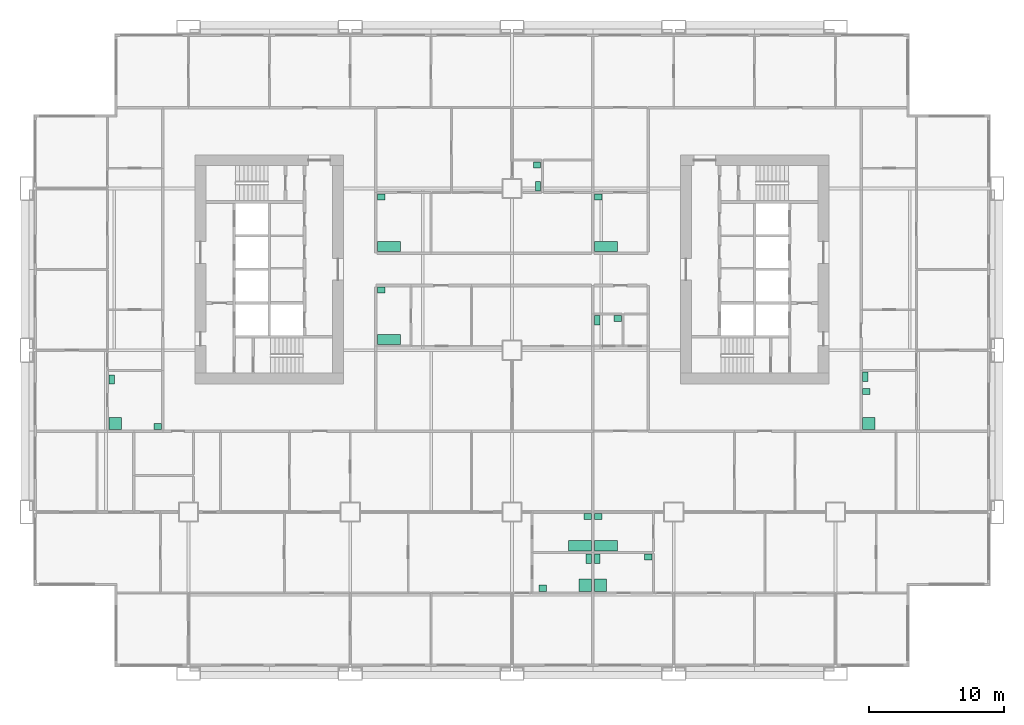
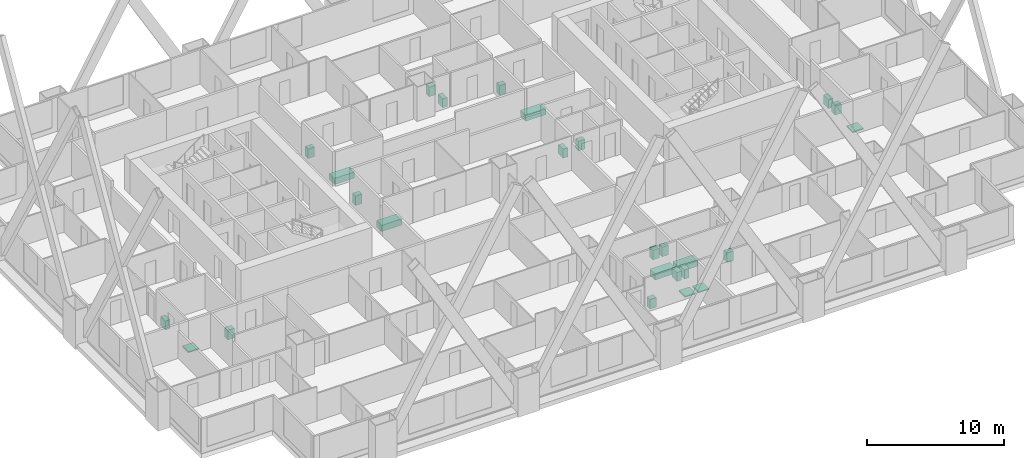
# One storey, part 13 of 13: 26 sanitary terminals.
"""IFC4 building model written with IfcOpenShell, lengths in metres."""

from ifc_helpers import new_model, si_unit, direction, frame, origin, origin_2d, place, context, subcontext, project, spatial, rectangle, extrude, material, type_object, element, save


model = new_model("IFC4")

# Units and contexts
model_context = context("Model", 3, precision=1e-05, world=origin(), true_north=direction((0.0, 1.0)))
body_context = subcontext(model_context, "Body", "Model", "MODEL_VIEW")
ifc_project = project(units=[si_unit("LENGTHUNIT", "METRE"), si_unit("AREAUNIT", "SQUARE_METRE"), si_unit("VOLUMEUNIT", "CUBIC_METRE"), si_unit("PLANEANGLEUNIT", "RADIAN"), si_unit("MASSUNIT", "GRAM", prefix="KILO")], contexts=[model_context])

# Site, building, storey
site_placement = place(None, origin())
site = spatial("IfcSite", under=ifc_project, at=site_placement, CompositionType="ELEMENT")
building_placement = place(site_placement, origin())
building = spatial("IfcBuilding", under=site, at=building_placement, Name="Kitamizu Gate Tower and Museum", CompositionType="ELEMENT")
storey_placement = place(building_placement, frame((0.0, 0.0, 50.699951171875)))
storey = spatial("IfcBuildingStorey", under=building, at=storey_placement, Name="L11", CompositionType="ELEMENT", Elevation=50.699951171875)

# Sanitary terminals
ifc_material_1 = material(Name="Acrylic")
sanitary_terminal_type_1 = type_object("IfcSanitaryTerminalType", Name="Bath", PredefinedType="BATH", material=ifc_material_1)
for number, where, z_axis, x_axis, name in (
    (1, (41.030029296875, 9.4951171875, 0.0009765625), (0.0, 0.0, 1.0), (1.0, 0.0, 0.0), "Bath Bathroom 11A"),
    (2, (26.8701171875, 24.794921875, 0.0009765625), (0.0, 0.0, 1.0), (1.0, 0.0, 0.0), "Bath Bathroom and WC 11B"),
    (3, (42.969970703125, 9.4951171875, 0.0009765625), (0.0, 0.0, 1.0), (1.0, 0.0, 0.0), "Bath Bathroom 11C"),
    (4, (26.8701171875, 31.695068359375, 0.0009765625), (0.0, 0.0, 1.0), (1.0, 0.0, 0.0), "Bath Bathroom 11D"),
    (5, (42.969970703125, 31.695068359375, 0.0009765625), (0.0, 0.0, 1.0), (1.0, 0.0, 0.0), "Bath Bathroom and WC 11F"),
):
    element("IfcSanitaryTerminal", number, at=place(storey_placement, frame(where, z_axis=z_axis, x_axis=x_axis)), inside=storey, type_object=sanitary_terminal_type_1, Name=name, PredefinedType="BATH", context=body_context, shape_type="SweptSolid", body=[
        extrude(rectangle(XDim=1.699951171875, YDim=0.75, at=origin_2d()), origin(), (0.0, 0.0, 1.0), 0.550048828125),
    ])
ifc_material_2 = material(Name="Acrylic")
sanitary_terminal_type_2 = type_object("IfcSanitaryTerminalType", Name="Shower tray", PredefinedType="SHOWER", material=ifc_material_2)
for number, where, z_axis, x_axis, name in (
    (6, (41.429931640625, 6.570068359375, 0.0009765625), (0.0, 0.0, 1.0), (1.0, 0.0, 0.0), "Shower tray En-suite bathroom and WC 11A"),
    (7, (42.570068359375, 6.570068359375, 0.0009765625), (0.0, 0.0, 1.0), (1.0, 0.0, 0.0), "Shower tray En-suite bathroom 11C"),
    (8, (6.570068359375, 18.570068359375, 0.0009765625), (0.0, 0.0, 1.0), (1.0, 0.0, 0.0), "Shower tray En-suite bathroom and WC 11E"),
    (9, (62.469970703125, 18.570068359375, 0.0009765625), (0.0, 0.0, 1.0), (1.0, 0.0, 0.0), "Shower tray En-suite bathroom and WC 11G"),
):
    element("IfcSanitaryTerminal", number, at=place(storey_placement, frame(where, z_axis=z_axis, x_axis=x_axis)), inside=storey, type_object=sanitary_terminal_type_2, Name=name, PredefinedType="SHOWER", context=body_context, shape_type="SweptSolid", body=[
        extrude(rectangle(XDim=0.89990234375, YDim=0.89990234375, at=origin_2d()), origin(), (0.0, 0.0, 1.0), 0.10009765625),
    ])
ifc_material_3 = material(Name="Vitreous china")
sanitary_terminal_type_3 = type_object("IfcSanitaryTerminalType", Name="Wash hand basin", PredefinedType="WASHHANDBASIN", material=ifc_material_3)
for number, where, z_axis, x_axis, name in (
    (10, (38.294921875, 6.344970703125, 0.0009765625), (0.0, 0.0, 1.0), (1.0, 0.0, 0.0), "Wash hand basin En-suite bathroom and WC 11A"),
    (11, (41.60498046875, 11.655029296875, 0.0009765625), (0.0, 0.0, 1.0), (1.0, 0.0, 0.0), "Wash hand basin Bathroom 11A"),
    (12, (26.294921875, 28.455078125, 0.0009765625), (0.0, 0.0, 1.0), (1.0, 0.0, 0.0), "Wash hand basin Bathroom and WC 11B"),
    (13, (46.10498046875, 8.655029296875, 0.0009765625), (0.0, 0.0, 1.0), (1.0, 0.0, 0.0), "Wash hand basin En-suite bathroom 11C"),
    (14, (42.39501953125, 11.655029296875, 0.0009765625), (0.0, 0.0, 1.0), (1.0, 0.0, 0.0), "Wash hand basin Bathroom 11C"),
    (15, (43.85498046875, 26.35498046875, 0.0009765625), (0.0, 0.0, 1.0), (1.0, 0.0, 0.0), "Wash hand basin WC 11C"),
    (16, (37.85498046875, 37.7548828125, 0.0009765625), (0.0, 0.0, 1.0), (1.0, 0.0, 0.0), "Wash hand basin WC 11D"),
    (17, (26.294921875, 35.35498046875, 0.0009765625), (0.0, 0.0, 1.0), (1.0, 0.0, 0.0), "Wash hand basin Bathroom 11D"),
    (18, (9.705078125, 18.344970703125, 0.0009765625), (0.0, 0.0, 1.0), (1.0, 0.0, 0.0), "Wash hand basin En-suite bathroom and WC 11E"),
    (19, (42.39501953125, 35.35498046875, 0.0009765625), (0.0, 0.0, 1.0), (1.0, 0.0, 0.0), "Wash hand basin Bathroom and WC 11F"),
    (20, (62.294921875, 20.955078125, 0.0009765625), (0.0, 0.0, 1.0), (1.0, 0.0, 0.0), "Wash hand basin En-suite bathroom and WC 11G"),
):
    element("IfcSanitaryTerminal", number, at=place(storey_placement, frame(where, z_axis=z_axis, x_axis=x_axis)), inside=storey, type_object=sanitary_terminal_type_3, Name=name, PredefinedType="WASHHANDBASIN", context=body_context, shape_type="SweptSolid", body=[
        extrude(rectangle(XDim=0.550048828125, YDim=0.449951171875, at=origin_2d()), origin(), (0.0, 0.0, 1.0), 0.85009765625),
    ])
ifc_material_4 = material(Name="Vitreous china")
sanitary_terminal_type_4 = type_object("IfcSanitaryTerminalType", Name="Water closet", PredefinedType="TOILETPAN", material=ifc_material_4)
for number, where, z_axis, x_axis, name in (
    (21, (41.679931640625, 8.530029296875, 0.0009765625), (0.0, 0.0, 1.0), (1.0, 0.0, 0.0), "Water closet En-suite bathroom and WC 11A"),
    (22, (42.320068359375, 8.530029296875, 0.0009765625), (0.0, 0.0, 1.0), (1.0, 0.0, 0.0), "Water closet En-suite bathroom 11C"),
    (23, (42.320068359375, 26.22998046875, 0.0009765625), (0.0, 0.0, 1.0), (1.0, 0.0, 0.0), "Water closet WC 11C"),
    (24, (37.929931640625, 36.169921875, 0.0009765625), (0.0, 0.0, 1.0), (1.0, 0.0, 0.0), "Water closet WC 11D"),
    (25, (6.320068359375, 21.830078125, 0.0009765625), (0.0, 0.0, 1.0), (1.0, 0.0, 0.0), "Water closet En-suite bathroom and WC 11E"),
    (26, (62.219970703125, 22.030029296875, 0.0009765625), (0.0, 0.0, 1.0), (1.0, 0.0, 0.0), "Water closet En-suite bathroom and WC 11G"),
):
    element("IfcSanitaryTerminal", number, at=place(storey_placement, frame(where, z_axis=z_axis, x_axis=x_axis)), inside=storey, type_object=sanitary_terminal_type_4, Name=name, PredefinedType="TOILETPAN", context=body_context, shape_type="SweptSolid", body=[
        extrude(rectangle(XDim=0.39990234375, YDim=0.699951171875, at=origin_2d()), origin(), (0.0, 0.0, 1.0), 0.800048828125),
    ])

save(model, "model.ifc")
